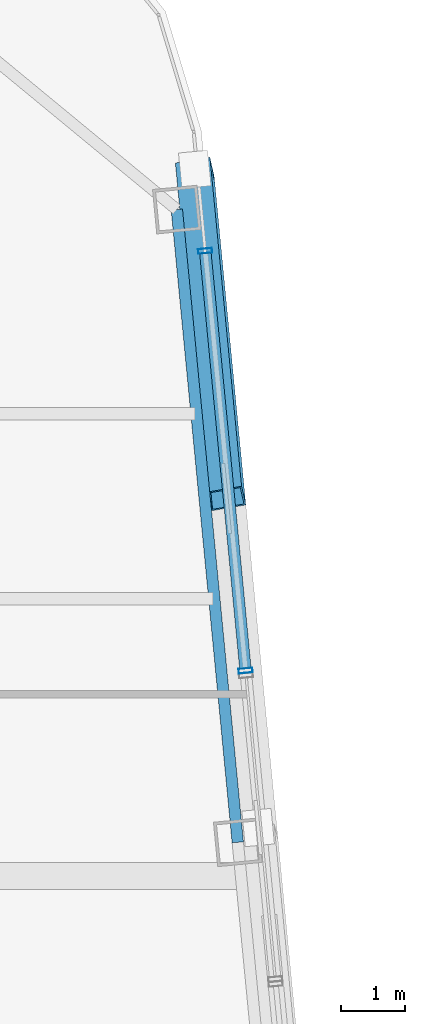
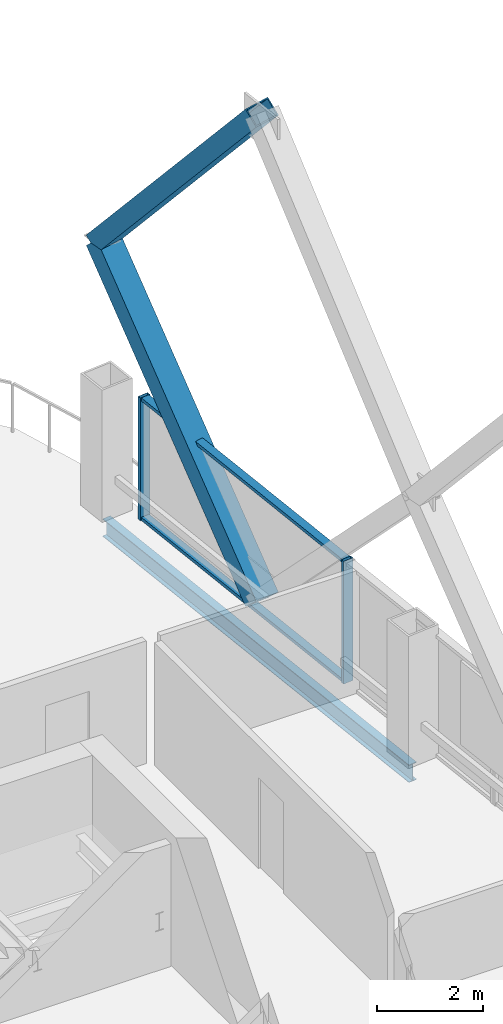
# One storey, part 26 of 34: 6 members, 1 beam, 1 element without a shape of its own.
"""IFC4 building model written with IfcOpenShell, lengths in metres."""

import ifcopenshell
import ifcopenshell.guid

model = None  # the IFC model being written
_history = None  # IfcOwnerHistory: only IFC2X3 demands one
_inside = {}  # id of a spatial element -> (the spatial element, [elements in it])
_under = {}  # id of a project, library or spatial element -> (it, [spatial elements below it])
_declared = {}  # id of a project -> (the project, [libraries it declares])
_typed = {}  # id of a type object -> (the type object, [elements of that type])
_made_of = {}  # id of a material, layer set ... -> (it, [elements and type objects made of it])


def new_model(schema):
    """Start an empty IFC model of exactly this schema.

    Asked for "IFC4X3", IfcOpenShell would pick the latest addendum, in which some entities
    have other attributes; the version numbers below select the first issue.
    IFC2X3 requires an IfcOwnerHistory on every rooted entity: one is made here for all.
    """
    global model, _history
    if schema == "IFC4X3":
        model = ifcopenshell.file(schema_version=(4, 3, 0, 0))
    else:
        model = ifcopenshell.file(schema=schema)
    _inside.clear()
    _under.clear()
    _declared.clear()
    _typed.clear()
    _made_of.clear()
    _history = None
    if model.schema == "IFC2X3":
        org = make("IfcOrganization", Name="unknown")
        user = make(
            "IfcPersonAndOrganization",
            ThePerson=make("IfcPerson", FamilyName="unknown"),
            TheOrganization=org,
        )
        app = make(
            "IfcApplication",
            ApplicationDeveloper=org,
            Version="unknown",
            ApplicationFullName="unknown",
            ApplicationIdentifier="unknown",
        )
        _history = make(
            "IfcOwnerHistory",
            OwningUser=user,
            OwningApplication=app,
            ChangeAction="ADDED",
            CreationDate=0,
        )
    return model


def make(cls, **values):
    """One entity of the class cls with the attributes given. An attribute that is None is left unset."""
    return model.create_entity(
        cls, **{name: value for name, value in values.items() if value is not None}
    )


def rooted(cls, **values):
    """An entity with a GlobalId (a new one), such as an element, a storey or a relation."""
    return make(cls, GlobalId=ifcopenshell.guid.new(), OwnerHistory=_history, **values)


def si_unit(unit_type, name, prefix=None):
    """IfcSIUnit, for example si_unit("LENGTHUNIT", "METRE", prefix="MILLI")."""
    return make("IfcSIUnit", UnitType=unit_type, Prefix=prefix, Name=name)


def assignment(units):
    """IfcUnitAssignment: the units of a project."""
    return None if units is None else make("IfcUnitAssignment", Units=units)


def point(xyz):
    """IfcCartesianPoint."""
    return None if xyz is None else make("IfcCartesianPoint", Coordinates=xyz)


def direction(xyz):
    """IfcDirection."""
    return None if xyz is None else make("IfcDirection", DirectionRatios=xyz)


def frame(location, z_axis=None, x_axis=None):
    """IfcAxis2Placement3D, a coordinate frame: its origin and axes. An axis left out is left unset."""
    return make(
        "IfcAxis2Placement3D",
        Location=point(location),
        Axis=direction(z_axis),
        RefDirection=direction(x_axis),
    )


def frame_2d(location, x_axis=None):
    """IfcAxis2Placement2D, a coordinate frame in the plane: its origin and x axis."""
    return make(
        "IfcAxis2Placement2D", Location=point(location), RefDirection=direction(x_axis)
    )


def origin():
    """The frame at (0, 0, 0) with its axes left unset."""
    return frame((0.0, 0.0, 0.0))


def origin_2d():
    """The frame at (0, 0) in the plane with its x axis left unset."""
    return frame_2d((0.0, 0.0))


def place(relative_to, where):
    """IfcLocalPlacement: puts the frame where relative to a parent placement (None: the world)."""
    return make(
        "IfcLocalPlacement", PlacementRelTo=relative_to, RelativePlacement=where
    )


def context(
    kind, dimensions, precision=None, world=None, true_north=None, identifier=None
):
    """IfcGeometricRepresentationContext, for example the 3D "Model" context."""
    return make(
        "IfcGeometricRepresentationContext",
        ContextIdentifier=identifier,
        ContextType=kind,
        CoordinateSpaceDimension=dimensions,
        Precision=precision,
        WorldCoordinateSystem=world,
        TrueNorth=true_north,
    )


def subcontext(parent, identifier, kind, view, scale=None):
    """IfcGeometricRepresentationSubContext, for example "Body" below "Model"."""
    return make(
        "IfcGeometricRepresentationSubContext",
        ContextIdentifier=identifier,
        ContextType=kind,
        ParentContext=parent,
        TargetScale=scale,
        TargetView=view,
    )


def project(units=None, contexts=None):
    """IfcProject with its units and contexts."""
    return rooted(
        "IfcProject",
        Name="project",
        RepresentationContexts=contexts,
        UnitsInContext=assignment(units),
    )


def spatial(cls, under=None, at=None, **own):
    """A site, building, storey or space (cls), placed at a placement, below another one or the project."""
    s = rooted(cls, ObjectPlacement=at, **own)
    if under is not None:
        _under.setdefault(under.id(), (under, []))[1].append(s)
    return s


def profile(cls, at=None, kind="AREA", **sizes):
    """A parametric profile (cls). Its sizes go by their IFC names, for example OverallWidth=200.0."""
    return make(cls, ProfileType=kind, Position=at, **sizes)


def hollow_rectangle(**sizes):
    """IfcRectangleHollowProfileDef."""
    return profile("IfcRectangleHollowProfileDef", **sizes)


def i_section(**sizes):
    """IfcIShapeProfileDef."""
    return profile("IfcIShapeProfileDef", **sizes)


def extrude(swept, where, along, depth):
    """IfcExtrudedAreaSolid: the profile swept, set in the frame where, extruded along a direction by depth."""
    return make(
        "IfcExtrudedAreaSolid",
        SweptArea=swept,
        Position=where,
        ExtrudedDirection=direction(along),
        Depth=depth,
    )


def shape(context_of_items, identifier, shape_type, items):
    """IfcShapeRepresentation: the items that make up one representation, for example the "Body"."""
    return make(
        "IfcShapeRepresentation",
        ContextOfItems=context_of_items,
        RepresentationIdentifier=identifier,
        RepresentationType=shape_type,
        Items=items,
    )


def material(Name=None, Category=None):
    """IfcMaterial."""
    return make("IfcMaterial", Name=Name, Category=Category)


def layer(
    of_material, thickness, ventilated=None, Name=None, Category=None, Priority=None
):
    """IfcMaterialLayer: one layer of a wall or slab, of a material (None: an air gap)."""
    return make(
        "IfcMaterialLayer",
        Material=of_material,
        LayerThickness=thickness,
        IsVentilated=ventilated,
        Name=Name,
        Category=Category,
        Priority=Priority,
    )


def layer_set(layers, Name=None):
    """IfcMaterialLayerSet."""
    return make("IfcMaterialLayerSet", MaterialLayers=layers, LayerSetName=Name)


def material_profile(
    of_material, cross_section, Name=None, Category=None, Priority=None
):
    """IfcMaterialProfile: a cross section and its material."""
    return make(
        "IfcMaterialProfile",
        Name=Name,
        Material=of_material,
        Profile=cross_section,
        Priority=Priority,
        Category=Category,
    )


def profile_set(profiles, Name=None, composite=None):
    """IfcMaterialProfileSet."""
    return make(
        "IfcMaterialProfileSet",
        Name=Name,
        MaterialProfiles=profiles,
        CompositeProfile=composite,
    )


def made_of(thing, what):
    """Note that an element or type object is made of a material, layer set ...; save() writes the relation."""
    if what is not None:
        _made_of.setdefault(what.id(), (what, []))[1].append(thing)
    return thing


def type_object(cls, material=None, **own):
    """A type object (cls), such as IfcWallType, which elements share."""
    return made_of(rooted(cls, **own), material)


def element(
    cls,
    number,
    at=None,
    inside=None,
    cuts=None,
    type_object=None,
    material=None,
    context=None,
    identifier="Body",
    shape_type=None,
    held_by="IfcProductDefinitionShape",
    body=None,
    shapes=None,
    **own,
):
    """One element of the class cls, such as IfcWall. Its Tag is "e" and its number.

    at: its placement. inside: the storey or other place that contains it. cuts: it is an
    opening in that element (IfcRelVoidsElement). A single representation is given by context,
    identifier, shape_type and body (its items); several are given by shapes. held_by: the class
    of the entity that holds the representations. save() writes the other relations.
    """
    e = rooted(cls, Tag="e%d" % number, ObjectPlacement=at, **own)
    if body is not None:
        shapes = [shape(context, identifier, shape_type, body)]
    if shapes is not None:
        e.Representation = make(held_by, Representations=shapes)
    if inside is not None:
        _inside.setdefault(inside.id(), (inside, []))[1].append(e)
    if cuts is not None:
        rooted(
            "IfcRelVoidsElement", RelatingBuildingElement=cuts, RelatedOpeningElement=e
        )
    if type_object is not None:
        _typed.setdefault(type_object.id(), (type_object, []))[1].append(e)
    return made_of(e, material)


def aggregate(whole, parts):
    """IfcRelAggregates: a whole, such as a stair, and the parts it consists of."""
    return rooted("IfcRelAggregates", RelatingObject=whole, RelatedObjects=parts)


def save(model, path):
    """Write the relations noted so far, then the file.

    IfcRelAggregates (storeys below a building ...), IfcRelContainedInSpatialStructure (elements
    in a storey), IfcRelDefinesByType, IfcRelAssociatesMaterial and IfcRelDeclares: one each for
    every whole, place, type object, material and project.
    """
    for whole, parts in _under.values():
        aggregate(whole, parts)
    for where, things in _inside.values():
        rooted(
            "IfcRelContainedInSpatialStructure",
            RelatedElements=things,
            RelatingStructure=where,
        )
    for kind, things in _typed.values():
        rooted("IfcRelDefinesByType", RelatedObjects=things, RelatingType=kind)
    for what, things in _made_of.values():
        rooted("IfcRelAssociatesMaterial", RelatedObjects=things, RelatingMaterial=what)
    for by, libraries in _declared.values():
        rooted("IfcRelDeclares", RelatingContext=by, RelatedDefinitions=libraries)
    model.write(path)


model = new_model("IFC4")

# Units and contexts
model_context = context("Model", 3, precision=1e-05, world=origin(), true_north=direction((0.0, 1.0)))
body_context = subcontext(model_context, "Body", "Model", "MODEL_VIEW")
ifc_project = project(units=[si_unit("LENGTHUNIT", "METRE"), si_unit("AREAUNIT", "SQUARE_METRE"), si_unit("VOLUMEUNIT", "CUBIC_METRE"), si_unit("PLANEANGLEUNIT", "RADIAN"), si_unit("MASSUNIT", "GRAM", prefix="KILO")], contexts=[model_context])

# Site, building, storey
site_placement = place(None, origin())
site = spatial("IfcSite", under=ifc_project, at=site_placement, CompositionType="ELEMENT")
building_placement = place(site_placement, origin())
building = spatial("IfcBuilding", under=site, at=building_placement, Name="Qhalaya Broadcast Tower", CompositionType="ELEMENT")
storey_placement = place(building_placement, frame((0.0, 0.0, 168.35009765625)))
storey = spatial("IfcBuildingStorey", under=building, at=storey_placement, Name="L49", CompositionType="ELEMENT", Elevation=168.35009765625)

# Members
ifc_material_1 = material(Name="Structural Steel ASTM A572 Grade 50", Category="steel")
ifc_material_profile_1 = material_profile(ifc_material_1, hollow_rectangle(XDim=0.39990234375, YDim=0.550048828125, WallThickness=0.02490234375, at=origin_2d()), Name="BOX 400x550x25")
ifc_profile_set_1 = profile_set([ifc_material_profile_1], Name="Structural Steel ASTM A572 Grade 50")
member_type_1 = type_object("IfcMemberType", Name="Exoskeleton Diamond Diagonal Mid-High EX3", PredefinedType="BRACE", material=ifc_profile_set_1)
member_1_placement = place(storey_placement, frame((16.35986328125, 15.87060546875, 0.35986328125), z_axis=(-0.066501259884, 0.690632740243, 0.720141653106), x_axis=(0.164110150372, -0.704339519888, 0.690632825218)))
element("IfcMember", 1, at=member_1_placement, inside=storey, type_object=member_type_1, Name="B4 Exoskeleton Diamond Brace E3-D2", PredefinedType="BRACE", context=body_context, shape_type="SweptSolid", body=[
    extrude(hollow_rectangle(XDim=0.39990234375, YDim=0.550048828125, WallThickness=0.02490234375, at=origin_2d()), origin(), (0.0, 0.0, 1.0), 7.470947265625),
])
member_2_placement = place(storey_placement, frame((15.863037109375, 21.0302734375, 5.739990234375), z_axis=(0.063504411003, -0.659509691471, 0.749008782752), x_axis=(-0.166864240923, 0.732941460776, 0.659509772616)))
element("IfcMember", 2, at=member_2_placement, inside=storey, type_object=member_type_1, Name="B4 Exoskeleton Diamond Brace E3-D4", PredefinedType="BRACE", context=body_context, shape_type="SweptSolid", body=[
    extrude(hollow_rectangle(XDim=0.39990234375, YDim=0.550048828125, WallThickness=0.02490234375, at=origin_2d()), origin(), (0.0, 0.0, 1.0), 7.823486328125),
])

# Curtain wall, members
ifc_material_2 = material(Name="Fired Architectural Terracotta", Category="masonry")
ifc_layer = layer(ifc_material_2, 0.219970703125, Name="Fired Architectural Terracotta")
ifc_layer_set = layer_set([ifc_layer], Name="Fired Architectural Terracotta")
curtain_wall_type = type_object("IfcCurtainWallType", Name="Block-Cap Unitised Terracotta Spandrel Wall CW-07", PredefinedType="NOTDEFINED", material=ifc_layer_set)
curtain_wall_placement = place(storey_placement, origin())
curtain_wall = element("IfcCurtainWall", 3, at=curtain_wall_placement, inside=storey, type_object=curtain_wall_type, Name="L49 Unitised Curtain Wall L49-CW-E5", PredefinedType="NOTDEFINED")
ifc_material_3 = material(Name="Anodised Aluminium 6063-T6", Category="aluminium")
ifc_material_profile_2 = material_profile(ifc_material_3, hollow_rectangle(XDim=0.074951171875, YDim=0.219970703125, WallThickness=0.00390625, at=origin_2d()), Name="ALU-MUL 75x220x4")
ifc_profile_set_2 = profile_set([ifc_material_profile_2], Name="Anodised Aluminium 6063-T6")
member_type_2 = type_object("IfcMemberType", Name="Unitised Curtain-Wall Mullion M01", PredefinedType="MULLION", material=ifc_profile_set_2)
member_3_placement = place(storey_placement, frame((16.659912109375, 13.171875, 0.0), z_axis=(0.0, 0.0, 1.0), x_axis=(-0.095842362816, 0.995396524753, 0.0)))
member_3 = element("IfcMember", 4, at=member_3_placement, type_object=member_type_2, Name="CW-07 mullion 1", PredefinedType="MULLION", context=body_context, shape_type="SweptSolid", body=[
    extrude(hollow_rectangle(XDim=0.074951171875, YDim=0.219970703125, WallThickness=0.00390625, at=origin_2d()), origin(), (0.0, 0.0, 1.0), 2.829833984375),
])
member_4_placement = place(storey_placement, frame((16.026123046875, 19.75244140625, 0.0), z_axis=(0.0, 0.0, 1.0), x_axis=(-0.095842362816, 0.995396524753, 0.0)))
member_4 = element("IfcMember", 5, at=member_4_placement, type_object=member_type_2, Name="CW-07 mullion 2", PredefinedType="MULLION", context=body_context, shape_type="SweptSolid", body=[
    extrude(hollow_rectangle(XDim=0.074951171875, YDim=0.219970703125, WallThickness=0.00390625, at=origin_2d()), origin(), (0.0, 0.0, 1.0), 2.829833984375),
])
ifc_material_profile_3 = material_profile(ifc_material_3, hollow_rectangle(XDim=0.074951171875, YDim=0.179931640625, WallThickness=0.00390625, at=origin_2d()), Name="ALU-TRN 75x180x4")
ifc_profile_set_3 = profile_set([ifc_material_profile_3], Name="Anodised Aluminium 6063-T6")
member_type_3 = type_object("IfcMemberType", Name="Unitised Curtain-Wall Transom T01", PredefinedType="USERDEFINED", material=ifc_profile_set_3)
member_5_placement = place(storey_placement, frame((16.65625, 13.209228515625, 0.037353515625), z_axis=(-0.09584906286, 0.995395879612, 0.0), x_axis=(0.0, 0.0, 1.0)))
member_5 = element("IfcMember", 6, at=member_5_placement, type_object=member_type_3, Name="CW-07 transom 1.1", ObjectType="TRANSOM", PredefinedType="USERDEFINED", context=body_context, shape_type="SweptSolid", body=[
    extrude(hollow_rectangle(XDim=0.074951171875, YDim=0.179931640625, WallThickness=0.00390625, at=origin_2d()), origin(), (0.0, 0.0, 1.0), 6.535888671875),
])
member_6_placement = place(storey_placement, frame((16.65625, 13.209228515625, 2.79248046875), z_axis=(-0.09584906286, 0.995395879612, 0.0), x_axis=(0.0, 0.0, 1.0)))
member_6 = element("IfcMember", 7, at=member_6_placement, type_object=member_type_3, Name="CW-07 transom 1.2", ObjectType="TRANSOM", PredefinedType="USERDEFINED", context=body_context, shape_type="SweptSolid", body=[
    extrude(hollow_rectangle(XDim=0.074951171875, YDim=0.179931640625, WallThickness=0.00390625, at=origin_2d()), origin(), (0.0, 0.0, 1.0), 6.535888671875),
])
aggregate(curtain_wall, [member_3, member_4, member_5, member_6])

# Beam
ifc_material_4 = material(Name="Structural Steel ASTM A992 Grade 50", Category="steel")
ifc_material_profile_4 = material_profile(ifc_material_4, i_section(OverallWidth=0.177978515625, OverallDepth=0.406005859375, WebThickness=0.0078125, FlangeThickness=0.0126953125, at=origin_2d()), Name="W16X40")
ifc_profile_set_4 = profile_set([ifc_material_profile_4], Name="Structural Steel ASTM A992 Grade 50")
beam_type = type_object("IfcBeamType", Name="Upper Perimeter Spandrel Beam SP2", PredefinedType="SPANDREL", material=ifc_profile_set_4)
beam_placement = place(storey_placement, frame((16.537353515625, 10.4794921875, -0.423095703125), z_axis=(-0.095850563819, 0.99539573508, 0.0), x_axis=(-0.99539573508, -0.095850563819, 0.0)))
element("IfcBeam", 8, at=beam_placement, inside=storey, type_object=beam_type, Name="L49 SP2 L49-SPR-07", PredefinedType="SPANDREL", context=body_context, shape_type="SweptSolid", body=[
    extrude(i_section(OverallWidth=0.177978515625, OverallDepth=0.406005859375, WebThickness=0.0078125, FlangeThickness=0.0126953125, at=origin_2d()), origin(), (0.0, 0.0, 1.0), 9.966796875),
])

save(model, "model.ifc")
